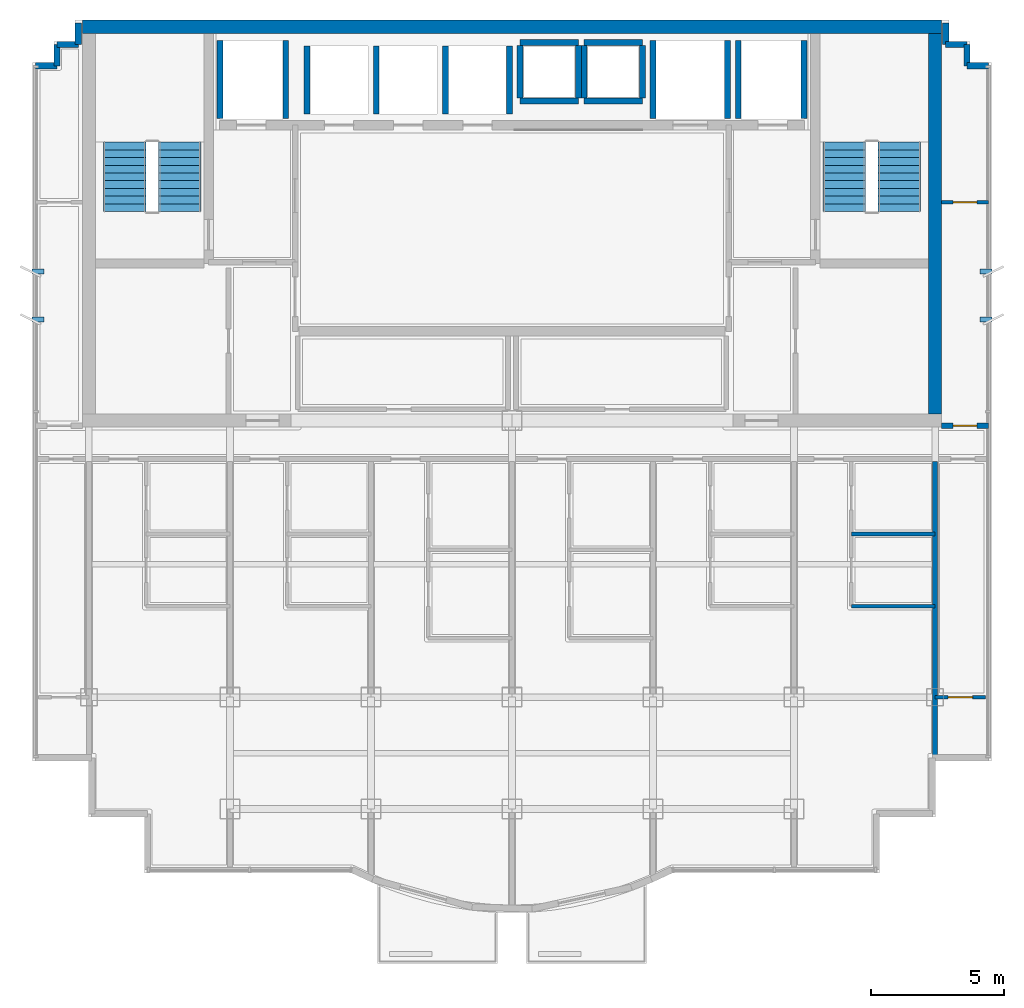
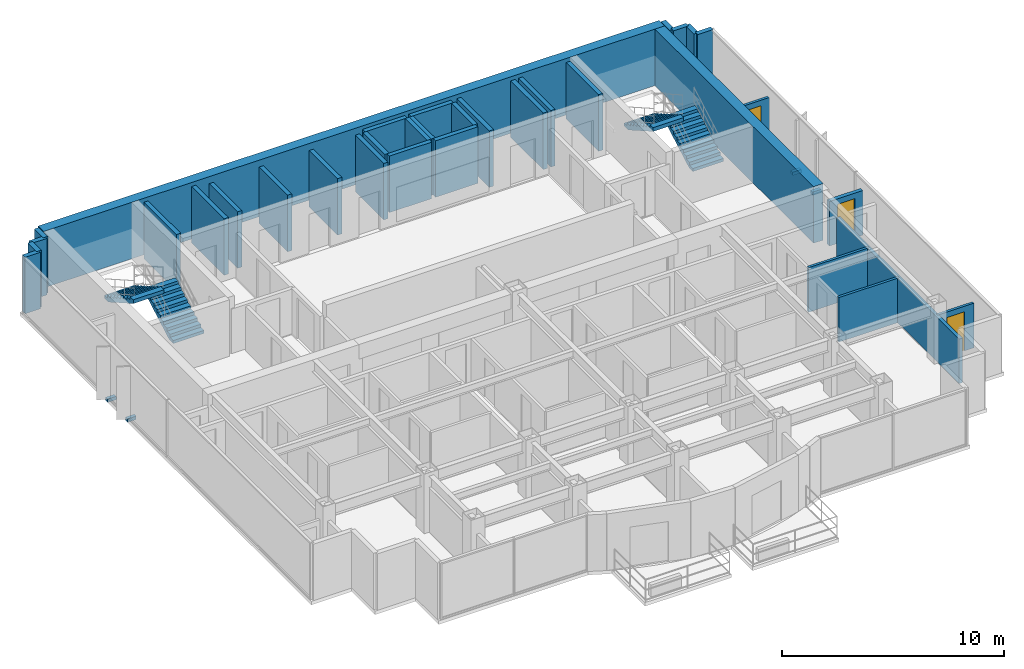
# One storey, part 8 of 10: 34 walls, 4 discrete accessories, 4 stair flights, 3 doors, 3 openings, 2 elements without a shape of their own.
"""IFC4 building model written with IfcOpenShell, lengths in metres."""

from ifc_helpers import new_model, si_unit, direction, frame, frame_2d, origin, origin_2d, place, context, subcontext, project, spatial, polyline, rectangle, outline, extrude, source, transform, mapped, material, layer, layer_set, type_object, element, fill, aggregate, save


model = new_model("IFC4")

# Units and contexts
model_context = context("Model", 3, precision=1e-05, world=origin(), true_north=direction((0.0, 1.0)))
body_context = subcontext(model_context, "Body", "Model", "MODEL_VIEW")
ifc_project = project(units=[si_unit("LENGTHUNIT", "METRE"), si_unit("AREAUNIT", "SQUARE_METRE"), si_unit("VOLUMEUNIT", "CUBIC_METRE"), si_unit("PLANEANGLEUNIT", "RADIAN"), si_unit("MASSUNIT", "GRAM", prefix="KILO")], contexts=[model_context])

# Site, building, storey
site_placement = place(None, origin())
site = spatial("IfcSite", under=ifc_project, at=site_placement, CompositionType="ELEMENT")
building_placement = place(site_placement, origin())
building = spatial("IfcBuilding", under=site, at=building_placement, Name="Qianlan Lanfeng Residences", CompositionType="ELEMENT")
storey_placement = place(building_placement, frame((0.0, 0.0, 236.300048828125)))
storey = spatial("IfcBuildingStorey", under=building, at=storey_placement, Name="L65", CompositionType="ELEMENT", Elevation=236.300048828125)

# Walls
ifc_material_1 = material(Name="Concrete C70", Category="concrete")
ifc_layer_1 = layer(ifc_material_1, 0.5)
ifc_layer_set_1 = layer_set([ifc_layer_1], Name="Concrete C70")
wall_type_1 = type_object("IfcWallType", Name="CW-RC-500", PredefinedType="SHEAR", material=ifc_layer_set_1)
wall_1_placement = place(storey_placement, frame((10.35009765625, 40.0, 0.0), z_axis=(0.0, 0.0, 1.0), x_axis=(1.0, 0.0, 0.0)))
element("IfcWall", 1, at=wall_1_placement, inside=storey, type_object=wall_type_1, Name="L65 Core Shear Wall N", PredefinedType="SHEAR", context=body_context, shape_type="SweptSolid", body=[
    extrude(rectangle(XDim=32.2998046875, YDim=0.5, at=frame_2d((16.14990234375, 0.0))), origin(), (0.0, 0.0, 1.0), 3.10986328125),
])
wall_2_placement = place(storey_placement, frame((42.39990234375, 25.449951171875, 0.0), z_axis=(0.0, 0.0, 1.0), x_axis=(0.0, 1.0, 0.0)))
element("IfcWall", 2, at=wall_2_placement, inside=storey, type_object=wall_type_1, Name="L65 Core Shear Wall E", PredefinedType="SHEAR", context=body_context, shape_type="SweptSolid", body=[
    extrude(rectangle(XDim=14.300048828125, YDim=0.5, at=frame_2d((7.14990234375, 0.0))), origin(), (0.0, 0.0, 1.0), 3.10986328125),
])
ifc_material_2 = material(Name="Concrete C42", Category="concrete")
ifc_layer_2 = layer(ifc_material_2, 0.239990234375)
ifc_layer_set_2 = layer_set([ifc_layer_2], Name="Concrete C42")
wall_type_2 = type_object("IfcWallType", Name="EW-240", PredefinedType="SOLIDWALL", material=ifc_layer_set_2)
wall_3_placement = place(storey_placement, frame((44.39990234375, 38.530029296875, 0.0), z_axis=(0.0, 0.0, 1.0), x_axis=(-1.0, 0.0, 0.0)))
element("IfcWall", 3, at=wall_3_placement, inside=storey, type_object=wall_type_2, Name="L65 Exterior Facade Spandrel Wall 15", PredefinedType="SOLIDWALL", context=body_context, shape_type="SweptSolid", body=[
    extrude(rectangle(XDim=0.7998046875, YDim=0.239990234375, at=frame_2d((0.39990234375, 0.0))), origin(), (0.0, 0.0, 1.0), 3.10986328125),
])
for number, where, z_axis, x_axis, name in (
    (4, (43.60009765625, 38.530029296875, 0.0), (0.0, 0.0, 1.0), (0.0, 1.0, 0.0), "L65 Exterior Facade Spandrel Wall 16"),
    (5, (43.60009765625, 39.330078125, 0.0), (0.0, 0.0, 1.0), (-1.0, 0.0, 0.0), "L65 Exterior Facade Spandrel Wall 17"),
):
    element("IfcWall", number, at=place(storey_placement, frame(where, z_axis=z_axis, x_axis=x_axis)), inside=storey, type_object=wall_type_2, Name=name, PredefinedType="SOLIDWALL", context=body_context, shape_type="SweptSolid", body=[
        extrude(rectangle(XDim=0.800048828125, YDim=0.239990234375, at=frame_2d((0.39990234375, 0.0))), origin(), (0.0, 0.0, 1.0), 3.10986328125),
    ])
for number, where, z_axis, x_axis, name in (
    (6, (42.800048828125, 39.330078125, 0.0), (0.0, 0.0, 1.0), (0.0, 1.0, 0.0), "L65 Exterior Facade Spandrel Wall 18"),
    (7, (10.199951171875, 40.1298828125, 0.0), (0.0, 0.0, 1.0), (0.0, -1.0, 0.0), "L65 Exterior Facade Spandrel Wall 19"),
):
    element("IfcWall", number, at=place(storey_placement, frame(where, z_axis=z_axis, x_axis=x_axis)), inside=storey, type_object=wall_type_2, Name=name, PredefinedType="SOLIDWALL", context=body_context, shape_type="SweptSolid", body=[
        extrude(rectangle(XDim=0.7998046875, YDim=0.239990234375, at=frame_2d((0.39990234375, 0.0))), origin(), (0.0, 0.0, 1.0), 3.10986328125),
    ])
for number, where, z_axis, x_axis, name in (
    (8, (10.199951171875, 39.330078125, 0.0), (0.0, 0.0, 1.0), (-1.0, 0.0, 0.0), "L65 Exterior Facade Spandrel Wall 20"),
    (9, (9.39990234375, 39.330078125, 0.0), (0.0, 0.0, 1.0), (0.0, -1.0, 0.0), "L65 Exterior Facade Spandrel Wall 21"),
):
    element("IfcWall", number, at=place(storey_placement, frame(where, z_axis=z_axis, x_axis=x_axis)), inside=storey, type_object=wall_type_2, Name=name, PredefinedType="SOLIDWALL", context=body_context, shape_type="SweptSolid", body=[
        extrude(rectangle(XDim=0.800048828125, YDim=0.239990234375, at=frame_2d((0.39990234375, 0.0))), origin(), (0.0, 0.0, 1.0), 3.10986328125),
    ])
wall_4_placement = place(storey_placement, frame((9.39990234375, 38.530029296875, 0.0), z_axis=(0.0, 0.0, 1.0), x_axis=(-1.0, 0.0, 0.0)))
element("IfcWall", 10, at=wall_4_placement, inside=storey, type_object=wall_type_2, Name="L65 Exterior Facade Spandrel Wall 22", PredefinedType="SOLIDWALL", context=body_context, shape_type="SweptSolid", body=[
    extrude(rectangle(XDim=0.7998046875, YDim=0.239990234375, at=frame_2d((0.39990234375, 0.0))), origin(), (0.0, 0.0, 1.0), 3.10986328125),
])
ifc_material_3 = material(Name="Moisture-Resistant Gypsum Partition 135 mm")
ifc_layer_3 = layer(ifc_material_3, 0.135009765625)
ifc_layer_set_3 = layer_set([ifc_layer_3], Name="Moisture-Resistant Gypsum Partition 135 mm")
wall_type_3 = type_object("IfcWallType", Name="PW-135", PredefinedType="PARTITIONING", material=ifc_layer_set_3)
for number, where, z_axis, x_axis, name in (
    (11, (39.25, 18.219970703125, 0.0), (0.0, 0.0, 1.0), (1.0, 0.0, 0.0), "L65 U06 Kitchen South Wall"),
    (12, (39.25, 20.93505859375, 0.0), (0.0, 0.0, 1.0), (1.0, 0.0, 0.0), "L65 U06 Bathroom South Wall"),
):
    element("IfcWall", number, at=place(storey_placement, frame(where, z_axis=z_axis, x_axis=x_axis)), inside=storey, type_object=wall_type_3, Name=name, PredefinedType="PARTITIONING", context=body_context, shape_type="SweptSolid", body=[
        extrude(rectangle(XDim=3.14990234375, YDim=0.135009765625, at=frame_2d((1.574951171875, 0.0))), origin(), (0.0, 0.0, 1.0), 2.449951171875),
    ])

# Wall, opening, door
wall_5_placement = place(storey_placement, frame((42.39990234375, 14.800048828125, 0.0), z_axis=(0.0, 0.0, 1.0), x_axis=(1.0, 0.0, 0.0)))
wall_5 = element("IfcWall", 13, at=wall_5_placement, inside=storey, type_object=wall_type_3, Name="L65 SEP Mid Partition", PredefinedType="PARTITIONING", context=body_context, shape_type="SweptSolid", body=[
    extrude(rectangle(XDim=1.900146484375, YDim=0.135009765625, at=frame_2d((0.9501953125, 0.0))), origin(), (0.0, 0.0, 1.0), 2.449951171875),
])
opening_1_placement = place(wall_5_placement, frame((0.489990234375, 0.0, 0.0)))
opening_1 = element("IfcOpeningElement", 14, at=opening_1_placement, cuts=wall_5, Name="Opening L65-D35", PredefinedType="OPENING", context=body_context, shape_type="SweptSolid", body=[
    extrude(rectangle(XDim=0.919921875, YDim=2.14990234375, at=frame_2d((0.4599609375, 1.074951171875))), frame((0.0, 0.07763671875, 0.0), z_axis=(0.0, -1.0, 0.0), x_axis=(1.0, 0.0, 0.0)), (0.0, 0.0, 1.0), 0.155029296875),
])
ifc_material_4 = material(Name="Glazed Timber Kitchen/Study Door", Category="wood")
door_type_1 = type_object("IfcDoorType", Name="DT-INT", OperationType="NOTDEFINED", PredefinedType="DOOR", material=ifc_material_4)
door_1_placement = place(opening_1_placement, origin())
door_1 = element("IfcDoor", 15, at=door_1_placement, inside=storey, type_object=door_type_1, Name="L65 SEP Inner Door L65-D35 (DT-INT)", OperationType="SINGLE_SWING_RIGHT", OverallHeight=2.14990234375, OverallWidth=0.919921875, PredefinedType="DOOR", context=body_context, shape_type="SweptSolid", body=[
    extrude(rectangle(XDim=0.919921875, YDim=2.14990234375, at=frame_2d((0.4599609375, 1.074951171875))), frame((0.0, 0.02490234375, 0.0), z_axis=(0.0, -1.0, 0.0), x_axis=(1.0, 0.0, 0.0)), (0.0, 0.0, 1.0), 0.050048828125),
])
fill(opening_1, door_1)

wall_6_placement = place(storey_placement, frame((42.64990234375, 33.39990234375, 0.0), z_axis=(0.0, 0.0, 1.0), x_axis=(1.0, 0.0, 0.0)))
wall_6 = element("IfcWall", 16, at=wall_6_placement, inside=storey, type_object=wall_type_3, Name="L65 EW North Wing Wall", PredefinedType="PARTITIONING", context=body_context, shape_type="SweptSolid", body=[
    extrude(rectangle(XDim=1.75, YDim=0.135009765625, at=frame_2d((0.875, 0.0))), origin(), (0.0, 0.0, 1.0), 2.449951171875),
])
opening_2_placement = place(wall_6_placement, frame((0.425048828125, 0.0, 0.0)))
opening_2 = element("IfcOpeningElement", 17, at=opening_2_placement, cuts=wall_6, Name="Opening L65-D39", PredefinedType="OPENING", context=body_context, shape_type="SweptSolid", body=[
    extrude(rectangle(XDim=0.89990234375, YDim=2.14990234375, at=frame_2d((0.449951171875, 1.074951171875))), frame((0.0, 0.07763671875, 0.0), z_axis=(0.0, -1.0, 0.0), x_axis=(1.0, 0.0, 0.0)), (0.0, 0.0, 1.0), 0.155029296875),
])
ifc_material_5 = material(Name="Moisture-Resistant Timber Leaf", Category="wood")
door_type_2 = type_object("IfcDoorType", Name="DT-WC", OperationType="NOTDEFINED", PredefinedType="DOOR", material=ifc_material_5)
door_2_placement = place(opening_2_placement, origin())
door_2 = element("IfcDoor", 18, at=door_2_placement, inside=storey, type_object=door_type_2, Name="L65 EW Inner Salon Door L65-D39 (DT-WC)", OperationType="SINGLE_SWING_RIGHT", OverallHeight=2.14990234375, OverallWidth=0.89990234375, PredefinedType="DOOR", context=body_context, shape_type="SweptSolid", body=[
    extrude(rectangle(XDim=0.89990234375, YDim=2.14990234375, at=frame_2d((0.449951171875, 1.074951171875))), frame((0.0, 0.02490234375, 0.0), z_axis=(0.0, -1.0, 0.0), x_axis=(1.0, 0.0, 0.0)), (0.0, 0.0, 1.0), 0.050048828125),
])
fill(opening_2, door_2)

# Wall
ifc_material_6 = material(Name="Double-Layer Acoustic Gypsum Stud Wall 180 mm")
ifc_layer_4 = layer(ifc_material_6, 0.179931640625)
ifc_layer_set_4 = layer_set([ifc_layer_4], Name="Double-Layer Acoustic Gypsum Stud Wall 180 mm")
wall_type_4 = type_object("IfcWallType", Name="PW-180", PredefinedType="PARTITIONING", material=ifc_layer_set_4)
wall_7_placement = place(storey_placement, frame((42.39990234375, 12.6201171875, 0.0), z_axis=(0.0, 0.0, 1.0), x_axis=(0.0, 1.0, 0.0)))
element("IfcWall", 19, at=wall_7_placement, inside=storey, type_object=wall_type_4, Name="L65 Wing Boundary Party Wall E0", PredefinedType="PARTITIONING", context=body_context, shape_type="SweptSolid", body=[
    extrude(rectangle(XDim=11.02978515625, YDim=0.179931640625, at=frame_2d((5.514892578125, 0.0))), origin(), (0.0, 0.0, 1.0), 2.449951171875),
])

# Wall, opening, door
ifc_material_7 = material(Name="Autoclaved Aerated Concrete Blockwork 200 mm", Category="masonry")
ifc_layer_5 = layer(ifc_material_7, 0.199951171875)
ifc_layer_set_5 = layer_set([ifc_layer_5], Name="Autoclaved Aerated Concrete Blockwork 200 mm")
wall_type_5 = type_object("IfcWallType", Name="PW-200", PredefinedType="PARTITIONING", material=ifc_layer_set_5)
wall_8_placement = place(storey_placement, frame((42.64990234375, 25.0, 0.0), z_axis=(0.0, 0.0, 1.0), x_axis=(1.0, 0.0, 0.0)))
wall_8 = element("IfcWall", 20, at=wall_8_placement, inside=storey, type_object=wall_type_5, Name="L65 Corridor NE Wall", PredefinedType="PARTITIONING", context=body_context, shape_type="SweptSolid", body=[
    extrude(rectangle(XDim=1.75, YDim=0.199951171875, at=frame_2d((0.875, 0.0))), origin(), (0.0, 0.0, 1.0), 2.449951171875),
])
opening_3_placement = place(wall_8_placement, frame((0.425048828125, 0.0, 0.0)))
opening_3 = element("IfcOpeningElement", 21, at=opening_3_placement, cuts=wall_8, Name="Opening L65-D40", PredefinedType="OPENING", context=body_context, shape_type="SweptSolid", body=[
    extrude(rectangle(XDim=0.89990234375, YDim=2.14990234375, at=frame_2d((0.449951171875, 1.074951171875))), frame((0.0, 0.10986328125, 0.0), z_axis=(0.0, -1.0, 0.0), x_axis=(1.0, 0.0, 0.0)), (0.0, 0.0, 1.0), 0.219970703125),
])
door_3_placement = place(opening_3_placement, origin())
door_3 = element("IfcDoor", 22, at=door_3_placement, inside=storey, type_object=door_type_2, Name="L65 EW Amenity Salon Door L65-D40 (DT-WC)", OperationType="SINGLE_SWING_RIGHT", OverallHeight=2.14990234375, OverallWidth=0.89990234375, PredefinedType="DOOR", context=body_context, shape_type="SweptSolid", body=[
    extrude(rectangle(XDim=0.89990234375, YDim=2.14990234375, at=frame_2d((0.449951171875, 1.074951171875))), frame((0.0, 0.02490234375, 0.0), z_axis=(0.0, -1.0, 0.0), x_axis=(1.0, 0.0, 0.0)), (0.0, 0.0, 1.0), 0.050048828125),
])
fill(opening_3, door_3)

# Walls
ifc_material_8 = material(Name="Concrete C49", Category="concrete")
ifc_layer_6 = layer(ifc_material_8, 0.219970703125)
ifc_layer_set_6 = layer_set([ifc_layer_6], Name="Concrete C49")
wall_type_6 = type_object("IfcWallType", Name="SHW-220", PredefinedType="SOLIDWALL", material=ifc_layer_set_6)
for number, where, z_axis, x_axis, name in (
    (23, (15.52001953125, 36.550048828125, 0.0), (0.0, 0.0, 1.0), (0.0, 1.0, 0.0), "L65 Lift FFL-1 Shaft Wall W"),
    (24, (18.0, 36.550048828125, 0.0), (0.0, 0.0, 1.0), (0.0, 1.0, 0.0), "L65 Lift FFL-1 Shaft Wall E"),
    (25, (35.0, 36.550048828125, 0.0), (0.0, 0.0, 1.0), (0.0, 1.0, 0.0), "L65 Lift FFL-2 Shaft Wall W"),
    (26, (37.47998046875, 36.550048828125, 0.0), (0.0, 0.0, 1.0), (0.0, 1.0, 0.0), "L65 Lift FFL-2 Shaft Wall E"),
    (27, (31.800048828125, 36.550048828125, 0.0), (0.0, 0.0, 1.0), (0.0, 1.0, 0.0), "L65 Lift SVL-1 Shaft Wall W"),
    (28, (34.60009765625, 36.550048828125, 0.0), (0.0, 0.0, 1.0), (0.0, 1.0, 0.0), "L65 Lift SVL-1 Shaft Wall E"),
):
    element("IfcWall", number, at=place(storey_placement, frame(where, z_axis=z_axis, x_axis=x_axis)), inside=storey, type_object=wall_type_6, Name=name, PredefinedType="SOLIDWALL", context=body_context, shape_type="SweptSolid", body=[
        extrude(rectangle(XDim=2.929931640625, YDim=0.219970703125, at=frame_2d((1.46484375, 0.0))), origin(), (0.0, 0.0, 1.0), 3.10986328125),
    ])
for number, where, z_axis, x_axis, name in (
    (29, (18.800048828125, 36.719970703125, 0.0), (0.0, 0.0, 1.0), (0.0, 1.0, 0.0), "L65 Lift PL-H1 Shaft Wall W"),
    (30, (21.39990234375, 36.719970703125, 0.0), (0.0, 0.0, 1.0), (0.0, 1.0, 0.0), "L65 Lift PL-H2 Shaft Wall W"),
    (31, (24.0, 36.719970703125, 0.0), (0.0, 0.0, 1.0), (0.0, 1.0, 0.0), "L65 Lift PL-H3 Shaft Wall W"),
    (32, (26.39990234375, 36.719970703125, 0.0), (0.0, 0.0, 1.0), (0.0, 1.0, 0.0), "L65 Lift PL-H3 Shaft Wall E"),
):
    element("IfcWall", number, at=place(storey_placement, frame(where, z_axis=z_axis, x_axis=x_axis)), inside=storey, type_object=wall_type_6, Name=name, PredefinedType="SOLIDWALL", context=body_context, shape_type="SweptSolid", body=[
        extrude(rectangle(XDim=2.56005859375, YDim=0.219970703125, at=frame_2d((1.280029296875, 0.0))), origin(), (0.0, 0.0, 1.0), 3.10986328125),
    ])
for number, where, z_axis, x_axis, name in (
    (33, (26.800048828125, 37.31005859375, 0.0), (0.0, 0.0, 1.0), (0.0, 1.0, 0.0), "L65 MEP Riser MEP-R1 Shaft Wall W"),
    (34, (29.0, 37.31005859375, 0.0), (0.0, 0.0, 1.0), (0.0, 1.0, 0.0), "L65 MEP Riser MEP-R1 Shaft Wall E"),
):
    element("IfcWall", number, at=place(storey_placement, frame(where, z_axis=z_axis, x_axis=x_axis)), inside=storey, type_object=wall_type_6, Name=name, PredefinedType="SOLIDWALL", context=body_context, shape_type="SweptSolid", body=[
        extrude(rectangle(XDim=1.97998046875, YDim=0.219970703125, at=frame_2d((0.989990234375, 0.0))), origin(), (0.0, 0.0, 1.0), 3.10986328125),
    ])
for number, where, z_axis, x_axis, name in (
    (35, (26.800048828125, 39.39990234375, 0.0), (0.0, 0.0, 1.0), (1.0, 0.0, 0.0), "L65 MEP Riser MEP-R1 Shaft Wall N"),
    (36, (26.800048828125, 37.199951171875, 0.0), (0.0, 0.0, 1.0), (1.0, 0.0, 0.0), "L65 MEP Riser MEP-R1 Shaft Wall S"),
):
    element("IfcWall", number, at=place(storey_placement, frame(where, z_axis=z_axis, x_axis=x_axis)), inside=storey, type_object=wall_type_6, Name=name, PredefinedType="SOLIDWALL", context=body_context, shape_type="SweptSolid", body=[
        extrude(rectangle(XDim=2.199951171875, YDim=0.219970703125, at=frame_2d((1.10009765625, 0.0))), origin(), (0.0, 0.0, 1.0), 3.10986328125),
    ])
for number, where, z_axis, x_axis, name in (
    (37, (29.199951171875, 37.31005859375, 0.0), (0.0, 0.0, 1.0), (0.0, 1.0, 0.0), "L65 MEP Riser MEP-R2 Shaft Wall W"),
    (38, (31.39990234375, 37.31005859375, 0.0), (0.0, 0.0, 1.0), (0.0, 1.0, 0.0), "L65 MEP Riser MEP-R2 Shaft Wall E"),
):
    element("IfcWall", number, at=place(storey_placement, frame(where, z_axis=z_axis, x_axis=x_axis)), inside=storey, type_object=wall_type_6, Name=name, PredefinedType="SOLIDWALL", context=body_context, shape_type="SweptSolid", body=[
        extrude(rectangle(XDim=1.97998046875, YDim=0.219970703125, at=frame_2d((0.989990234375, 0.0))), origin(), (0.0, 0.0, 1.0), 3.10986328125),
    ])
for number, where, z_axis, x_axis, name in (
    (39, (29.199951171875, 39.39990234375, 0.0), (0.0, 0.0, 1.0), (1.0, 0.0, 0.0), "L65 MEP Riser MEP-R2 Shaft Wall N"),
    (40, (29.199951171875, 37.199951171875, 0.0), (0.0, 0.0, 1.0), (1.0, 0.0, 0.0), "L65 MEP Riser MEP-R2 Shaft Wall S"),
):
    element("IfcWall", number, at=place(storey_placement, frame(where, z_axis=z_axis, x_axis=x_axis)), inside=storey, type_object=wall_type_6, Name=name, PredefinedType="SOLIDWALL", context=body_context, shape_type="SweptSolid", body=[
        extrude(rectangle(XDim=2.199951171875, YDim=0.219970703125, at=frame_2d((1.10009765625, 0.0))), origin(), (0.0, 0.0, 1.0), 3.10986328125),
    ])

# Stair, stair flights
stair_type = type_object("IfcStairType", Name="STR-MAIN", PredefinedType="HALF_TURN_STAIR", material=ifc_material_2)
stair_1_placement = place(storey_placement, origin())
stair_1 = element("IfcStair", 41, at=stair_1_placement, inside=storey, type_object=stair_type, Name="L65 Exit Stair ST-1", PredefinedType="HALF_TURN_STAIR")
stair_flight_type = type_object("IfcStairFlightType", Name="FLT-1720", PredefinedType="STRAIGHT", material=ifc_material_2)
stair_flight_1_placement = place(storey_placement, frame((14.02001953125, 33.050048828125, 0.0), z_axis=(0.0, 0.0, 1.0), x_axis=(0.0, 1.0, 0.0)))
stair_flight_1 = element("IfcStairFlight", 42, at=stair_flight_1_placement, type_object=stair_flight_type, Name="ST-1 flight 1", NumberOfRisers=10, NumberOfTreads=9, PredefinedType="STRAIGHT", RiserHeight=0.165, TreadLength=0.29, context=body_context, shape_type="SweptSolid", body=[
    extrude(outline(polyline([(0.0, 0.0), (0.0, 0.1650390625), (0.2900390625, 0.1650390625), (0.2900390625, 0.330078125), (0.580078125, 0.330078125), (0.580078125, 0.4951171875), (0.8701171875, 0.4951171875), (0.8701171875, 0.659912109375), (1.159912109375, 0.659912109375), (1.159912109375, 0.824951171875), (1.449951171875, 0.824951171875), (1.449951171875, 0.989990234375), (1.739990234375, 0.989990234375), (1.739990234375, 1.155029296875), (2.030029296875, 1.155029296875), (2.030029296875, 1.320068359375), (2.320068359375, 1.320068359375), (2.320068359375, 1.485107421875), (2.610107421875, 1.485107421875), (2.610107421875, 1.64990234375), (2.610107421875, 1.278076171875), (0.36376953125, 0.0), (0.0, 0.0)])), frame((0.0, 0.800048828125, 0.0), z_axis=(0.0, -1.0, 0.0), x_axis=(1.0, 0.0, 0.0)), (0.0, 0.0, 1.0), 1.60009765625),
])
stair_flight_2_placement = place(storey_placement, frame((11.93994140625, 35.659912109375, 1.64990234375), z_axis=(0.0, 0.0, 1.0), x_axis=(0.0, -1.0, 0.0)))
stair_flight_2 = element("IfcStairFlight", 43, at=stair_flight_2_placement, type_object=stair_flight_type, Name="ST-1 flight 2", NumberOfRisers=10, NumberOfTreads=9, PredefinedType="STRAIGHT", RiserHeight=0.165, TreadLength=0.29, context=body_context, shape_type="SweptSolid", body=[
    extrude(outline(polyline([(0.0, 0.0), (0.0, 0.1650390625), (0.2900390625, 0.1650390625), (0.2900390625, 0.330078125), (0.580078125, 0.330078125), (0.580078125, 0.4951171875), (0.8701171875, 0.4951171875), (0.8701171875, 0.659912109375), (1.159912109375, 0.659912109375), (1.159912109375, 0.824951171875), (1.449951171875, 0.824951171875), (1.449951171875, 0.989990234375), (1.739990234375, 0.989990234375), (1.739990234375, 1.155029296875), (2.030029296875, 1.155029296875), (2.030029296875, 1.320068359375), (2.320068359375, 1.320068359375), (2.320068359375, 1.485107421875), (2.610107421875, 1.485107421875), (2.610107421875, 1.64990234375), (2.610107421875, 1.278076171875), (0.36376953125, 0.0), (0.0, 0.0)])), frame((0.0, 0.800048828125, 0.0), z_axis=(0.0, -1.0, 0.0), x_axis=(1.0, 0.0, 0.0)), (0.0, 0.0, 1.0), 1.60009765625),
])
aggregate(stair_1, [stair_flight_1, stair_flight_2])

stair_2_placement = place(storey_placement, origin())
stair_2 = element("IfcStair", 44, at=stair_2_placement, inside=storey, type_object=stair_type, Name="L65 Exit Stair ST-2", PredefinedType="HALF_TURN_STAIR")
stair_flight_3_placement = place(storey_placement, frame((41.06005859375, 33.050048828125, 0.0), z_axis=(0.0, 0.0, 1.0), x_axis=(0.0, 1.0, 0.0)))
stair_flight_3 = element("IfcStairFlight", 45, at=stair_flight_3_placement, type_object=stair_flight_type, Name="ST-2 flight 1", NumberOfRisers=10, NumberOfTreads=9, PredefinedType="STRAIGHT", RiserHeight=0.165, TreadLength=0.29, context=body_context, shape_type="SweptSolid", body=[
    extrude(outline(polyline([(0.0, 0.0), (0.0, 0.1650390625), (0.2900390625, 0.1650390625), (0.2900390625, 0.330078125), (0.580078125, 0.330078125), (0.580078125, 0.4951171875), (0.8701171875, 0.4951171875), (0.8701171875, 0.659912109375), (1.159912109375, 0.659912109375), (1.159912109375, 0.824951171875), (1.449951171875, 0.824951171875), (1.449951171875, 0.989990234375), (1.739990234375, 0.989990234375), (1.739990234375, 1.155029296875), (2.030029296875, 1.155029296875), (2.030029296875, 1.320068359375), (2.320068359375, 1.320068359375), (2.320068359375, 1.485107421875), (2.610107421875, 1.485107421875), (2.610107421875, 1.64990234375), (2.610107421875, 1.278076171875), (0.36376953125, 0.0), (0.0, 0.0)])), frame((0.0, 0.800048828125, 0.0), z_axis=(0.0, -1.0, 0.0), x_axis=(1.0, 0.0, 0.0)), (0.0, 0.0, 1.0), 1.60009765625),
])
stair_flight_4_placement = place(storey_placement, frame((38.97998046875, 35.659912109375, 1.64990234375), z_axis=(0.0, 0.0, 1.0), x_axis=(0.0, -1.0, 0.0)))
stair_flight_4 = element("IfcStairFlight", 46, at=stair_flight_4_placement, type_object=stair_flight_type, Name="ST-2 flight 2", NumberOfRisers=10, NumberOfTreads=9, PredefinedType="STRAIGHT", RiserHeight=0.165, TreadLength=0.29, context=body_context, shape_type="SweptSolid", body=[
    extrude(outline(polyline([(0.0, 0.0), (0.0, 0.1650390625), (0.2900390625, 0.1650390625), (0.2900390625, 0.330078125), (0.580078125, 0.330078125), (0.580078125, 0.4951171875), (0.8701171875, 0.4951171875), (0.8701171875, 0.659912109375), (1.159912109375, 0.659912109375), (1.159912109375, 0.824951171875), (1.449951171875, 0.824951171875), (1.449951171875, 0.989990234375), (1.739990234375, 0.989990234375), (1.739990234375, 1.155029296875), (2.030029296875, 1.155029296875), (2.030029296875, 1.320068359375), (2.320068359375, 1.320068359375), (2.320068359375, 1.485107421875), (2.610107421875, 1.485107421875), (2.610107421875, 1.64990234375), (2.610107421875, 1.278076171875), (0.36376953125, 0.0), (0.0, 0.0)])), frame((0.0, 0.800048828125, 0.0), z_axis=(0.0, -1.0, 0.0), x_axis=(1.0, 0.0, 0.0)), (0.0, 0.0, 1.0), 1.60009765625),
])
aggregate(stair_2, [stair_flight_3, stair_flight_4])

# Discrete accessories
ifc_material_9 = material(Name="Stainless Steel Facade Bracket", Category="steel")
discrete_accessory_type = type_object("IfcDiscreteAccessoryType", Name="BRK-SS-350", PredefinedType="BRACKET", material=ifc_material_9)
shared_shape = source(origin(), body_context, "Body", "SweptSolid", [
    extrude(rectangle(XDim=0.449951171875, YDim=0.179931640625, at=origin_2d()), origin(), (0.0, 0.0, 1.0), 0.179931640625),
])
for number, where, z_axis, x_axis, name in (
    (47, (8.679931640625, 29.0, -0.14990234375), (0.0, 0.0, 1.0), (1.0, 0.0, 0.0), "L65 Raked Solar Fin Support Bracket W1"),
    (48, (8.679931640625, 30.800048828125, -0.14990234375), (0.0, 0.0, 1.0), (1.0, 0.0, 0.0), "L65 Raked Solar Fin Support Bracket W2"),
    (49, (44.320068359375, 29.0, -0.14990234375), (0.0, 0.0, 1.0), (1.0, 0.0, 0.0), "L65 Raked Solar Fin Support Bracket E1"),
    (50, (44.320068359375, 30.800048828125, -0.14990234375), (0.0, 0.0, 1.0), (1.0, 0.0, 0.0), "L65 Raked Solar Fin Support Bracket E2"),
):
    element("IfcDiscreteAccessory", number, at=place(storey_placement, frame(where, z_axis=z_axis, x_axis=x_axis)), inside=storey, type_object=discrete_accessory_type, Name=name, PredefinedType="BRACKET", context=body_context, shape_type="MappedRepresentation", body=[
        mapped(shared_shape, transform((0.0, 0.0, 0.0), scale=1.0)),
    ])

save(model, "model.ifc")
